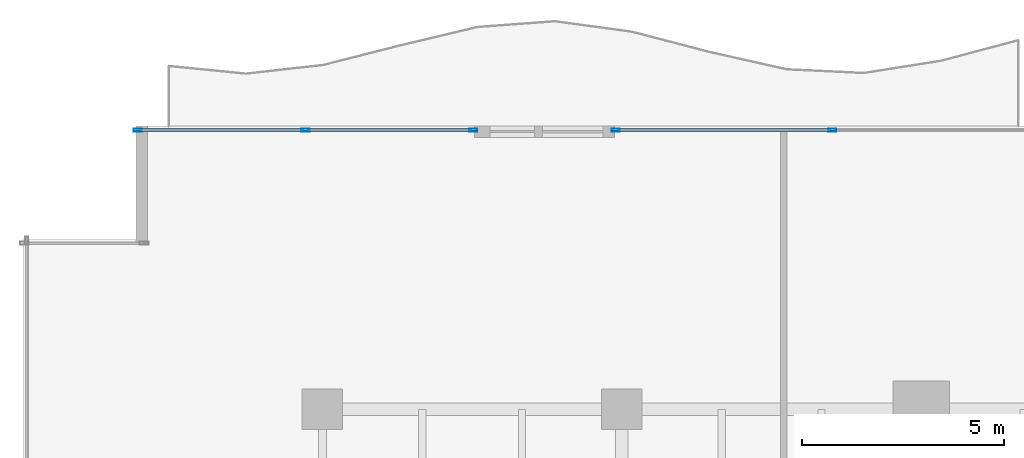
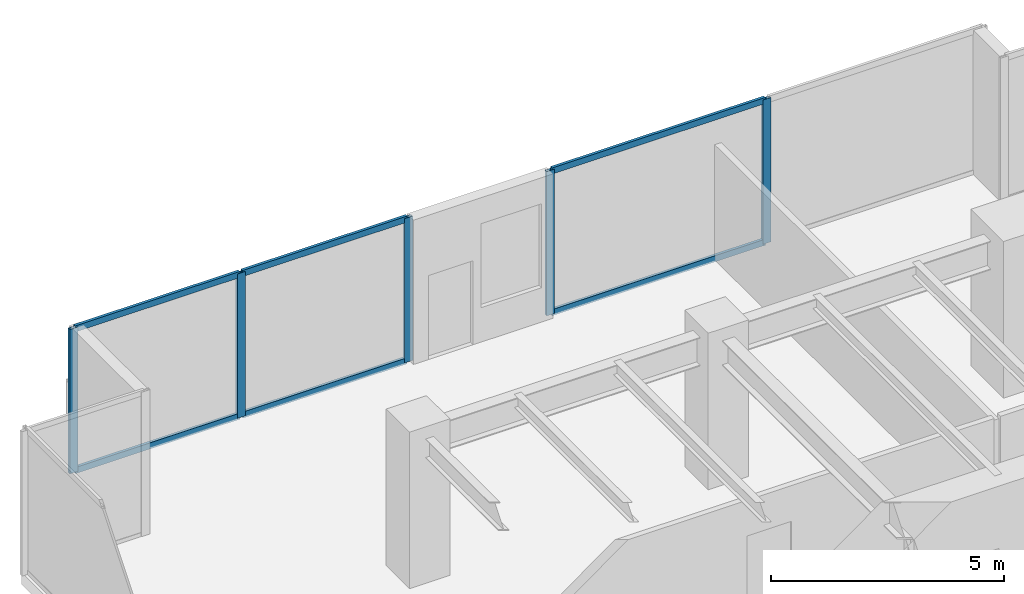
# One storey, part 15 of 31: 11 members, 2 elements without a shape of their own.
"""IFC4 building model written with IfcOpenShell, lengths in metres."""

from ifc_helpers import new_model, si_unit, direction, frame, origin, origin_2d, place, context, subcontext, project, spatial, hollow_rectangle, extrude, source, transform, mapped, material, layer, layer_set, material_profile, profile_set, type_object, type_shapes, element, aggregate, save


model = new_model("IFC4")

# Units and contexts
model_context = context("Model", 3, precision=1e-05, world=origin(), true_north=direction((0.0, 1.0)))
body_context = subcontext(model_context, "Body", "Model", "MODEL_VIEW")
ifc_project = project(units=[si_unit("LENGTHUNIT", "METRE"), si_unit("AREAUNIT", "SQUARE_METRE"), si_unit("VOLUMEUNIT", "CUBIC_METRE"), si_unit("PLANEANGLEUNIT", "RADIAN"), si_unit("MASSUNIT", "GRAM", prefix="KILO")], contexts=[model_context])

# Site, building, storey
site_placement = place(None, origin())
site = spatial("IfcSite", under=ifc_project, at=site_placement, CompositionType="ELEMENT")
building_placement = place(site_placement, origin())
building = spatial("IfcBuilding", under=site, at=building_placement, Name="Haelvirn Gate Laboratories", CompositionType="ELEMENT")
storey_placement = place(building_placement, frame((0.0, 0.0, 62.10009765625)))
storey = spatial("IfcBuildingStorey", under=building, at=storey_placement, Name="L15", CompositionType="ELEMENT", Elevation=62.10009765625)

# Curtain wall, members
ifc_material_1 = material(Name="Anodised bronze unitised aluminium & triple low-E glass", Category="aluminium")
ifc_layer = layer(ifc_material_1, 0.18408203125, Name="CW-SYS-2")
ifc_layer_set = layer_set([ifc_layer], Name="Anodised bronze unitised aluminium & triple low-E glass")
curtain_wall_type = type_object("IfcCurtainWallType", Name="CW-SYS-2", PredefinedType="NOTDEFINED", material=ifc_layer_set)
curtain_wall_1_placement = place(storey_placement, origin())
curtain_wall_1 = element("IfcCurtainWall", 1, at=curtain_wall_1_placement, inside=storey, type_object=curtain_wall_type, Name="L15 Unitised Curtain Wall CW-L15-P0-E14-1", PredefinedType="NOTDEFINED")
ifc_material_2 = material(Name="Extruded aluminium 6063-T6 (anodised bronze)", Category="aluminium")
ifc_material_profile_1 = material_profile(ifc_material_2, hollow_rectangle(XDim=0.074951171875, YDim=0.199951171875, WallThickness=0.0048828125, at=origin_2d()), Name="CWM-200x75x5")
ifc_profile_set_1 = profile_set([ifc_material_profile_1], Name="Extruded aluminium 6063-T6 (anodised bronze)")
member_type_1 = type_object("IfcMemberType", Name="CWM-T200", PredefinedType="MULLION", material=ifc_profile_set_1)
shared_shape_1 = source(origin(), body_context, "Body", "SweptSolid", [
    extrude(hollow_rectangle(XDim=0.074951171875, YDim=0.199951171875, WallThickness=0.0048828125, at=origin_2d()), origin(), (0.0, 0.0, 1.0), 3.77978515625),
])
type_shapes(member_type_1, [shared_shape_1])
member_1_placement = place(storey_placement, frame((2.83740234375, 48.5, 0.0), z_axis=(0.0, 0.0, 1.0), x_axis=(0.0, 1.0, 0.0)))
member_1 = element("IfcMember", 2, at=member_1_placement, type_object=member_type_1, Name="CW2 mullion 1", PredefinedType="MULLION", context=body_context, shape_type="MappedRepresentation", body=[
    mapped(shared_shape_1, transform((0.0, 0.0, 0.0), scale=1.0)),
])
member_2_placement = place(storey_placement, frame((6.985107421875, 48.5, 0.0), z_axis=(0.0, 0.0, 1.0), x_axis=(0.0, 1.0, 0.0)))
member_2 = element("IfcMember", 3, at=member_2_placement, type_object=member_type_1, Name="CW2 mullion 2", PredefinedType="MULLION", context=body_context, shape_type="MappedRepresentation", body=[
    mapped(shared_shape_1, transform((0.0, 0.0, 0.0), scale=1.0)),
])
member_3_placement = place(storey_placement, frame((11.132568359375, 48.5, 0.0), z_axis=(0.0, 0.0, 1.0), x_axis=(0.0, 1.0, 0.0)))
member_3 = element("IfcMember", 4, at=member_3_placement, type_object=member_type_1, Name="CW2 mullion 3", PredefinedType="MULLION", context=body_context, shape_type="MappedRepresentation", body=[
    mapped(shared_shape_1, transform((0.0, 0.0, 0.0), scale=1.0)),
])

curtain_wall_2_placement = place(storey_placement, origin())
curtain_wall_2 = element("IfcCurtainWall", 5, at=curtain_wall_2_placement, inside=storey, type_object=curtain_wall_type, Name="L15 Unitised Curtain Wall CW-L15-P0-E14-2", PredefinedType="NOTDEFINED")
member_4_placement = place(storey_placement, frame((14.6474609375, 48.5, 0.0), z_axis=(0.0, 0.0, 1.0), x_axis=(0.0, 1.0, 0.0)))
member_4 = element("IfcMember", 6, at=member_4_placement, type_object=member_type_1, Name="CW2 mullion 1", PredefinedType="MULLION", context=body_context, shape_type="MappedRepresentation", body=[
    mapped(shared_shape_1, transform((0.0, 0.0, 0.0), scale=1.0)),
])
member_5_placement = place(storey_placement, frame((20.0048828125, 48.5, 0.0), z_axis=(0.0, 0.0, 1.0), x_axis=(0.0, 1.0, 0.0)))
member_5 = element("IfcMember", 7, at=member_5_placement, type_object=member_type_1, Name="CW2 mullion 2", PredefinedType="MULLION", context=body_context, shape_type="MappedRepresentation", body=[
    mapped(shared_shape_1, transform((0.0, 0.0, 0.0), scale=1.0)),
])

# Member
ifc_material_profile_2 = material_profile(ifc_material_2, hollow_rectangle(XDim=0.070068359375, YDim=0.159912109375, WallThickness=0.0048828125, at=origin_2d()), Name="CWT-160x70x5")
ifc_profile_set_2 = profile_set([ifc_material_profile_2], Name="Extruded aluminium 6063-T6 (anodised bronze)")
member_type_2 = type_object("IfcMemberType", Name="CWT-T160", PredefinedType="USERDEFINED", material=ifc_profile_set_2)
shared_shape_2 = source(origin(), body_context, "Body", "SweptSolid", [
    extrude(hollow_rectangle(XDim=0.070068359375, YDim=0.159912109375, WallThickness=0.0048828125, at=origin_2d()), origin(), (0.0, 0.0, 1.0), 4.072509765625),
])
member_6_placement = place(storey_placement, frame((2.875, 48.5, 0.034912109375), z_axis=(1.0, 0.0, 0.0), x_axis=(0.0, 1.0, 0.0)))
member_6 = element("IfcMember", 8, at=member_6_placement, type_object=member_type_2, Name="CW2 transom 1.1", ObjectType="TRANSOM", PredefinedType="USERDEFINED", context=body_context, shape_type="MappedRepresentation", body=[
    mapped(shared_shape_2, transform((0.0, 0.0, 0.0), scale=1.0)),
])

member_7_placement = place(storey_placement, frame((2.875, 48.5, 3.744873046875), z_axis=(1.0, 0.0, 0.0), x_axis=(0.0, 1.0, 0.0)))
member_7 = element("IfcMember", 9, at=member_7_placement, type_object=member_type_2, Name="CW2 transom 1.2", ObjectType="TRANSOM", PredefinedType="USERDEFINED", context=body_context, shape_type="MappedRepresentation", body=[
    mapped(shared_shape_2, transform((0.0, 0.0, 0.0), scale=1.0)),
])

member_8_placement = place(storey_placement, frame((7.0224609375, 48.5, 0.034912109375), z_axis=(1.0, 0.0, 0.0), x_axis=(0.0, 1.0, 0.0)))
member_8 = element("IfcMember", 10, at=member_8_placement, type_object=member_type_2, Name="CW2 transom 2.1", ObjectType="TRANSOM", PredefinedType="USERDEFINED", context=body_context, shape_type="MappedRepresentation", body=[
    mapped(shared_shape_2, transform((0.0, 0.0, 0.0), scale=1.0)),
])

member_9_placement = place(storey_placement, frame((7.0224609375, 48.5, 3.744873046875), z_axis=(1.0, 0.0, 0.0), x_axis=(0.0, 1.0, 0.0)))
member_9 = element("IfcMember", 11, at=member_9_placement, type_object=member_type_2, Name="CW2 transom 2.2", ObjectType="TRANSOM", PredefinedType="USERDEFINED", context=body_context, shape_type="MappedRepresentation", body=[
    mapped(shared_shape_2, transform((0.0, 0.0, 0.0), scale=1.0)),
])

aggregate(curtain_wall_1, [member_1, member_2, member_3, member_6, member_7, member_8, member_9])

shared_shape_3 = source(origin(), body_context, "Body", "SweptSolid", [
    extrude(hollow_rectangle(XDim=0.070068359375, YDim=0.159912109375, WallThickness=0.0048828125, at=origin_2d()), origin(), (0.0, 0.0, 1.0), 5.282470703125),
])
type_shapes(member_type_2, [shared_shape_2, shared_shape_3])
member_10_placement = place(storey_placement, frame((14.68505859375, 48.5, 0.034912109375), z_axis=(1.0, 0.0, 0.0), x_axis=(0.0, 1.0, 0.0)))
member_10 = element("IfcMember", 12, at=member_10_placement, type_object=member_type_2, Name="CW2 transom 1.1", ObjectType="TRANSOM", PredefinedType="USERDEFINED", context=body_context, shape_type="MappedRepresentation", body=[
    mapped(shared_shape_3, transform((0.0, 0.0, 0.0), scale=1.0)),
])

member_11_placement = place(storey_placement, frame((14.68505859375, 48.5, 3.744873046875), z_axis=(1.0, 0.0, 0.0), x_axis=(0.0, 1.0, 0.0)))
member_11 = element("IfcMember", 13, at=member_11_placement, type_object=member_type_2, Name="CW2 transom 1.2", ObjectType="TRANSOM", PredefinedType="USERDEFINED", context=body_context, shape_type="MappedRepresentation", body=[
    mapped(shared_shape_3, transform((0.0, 0.0, 0.0), scale=1.0)),
])

aggregate(curtain_wall_2, [member_4, member_5, member_10, member_11])

save(model, "model.ifc")
